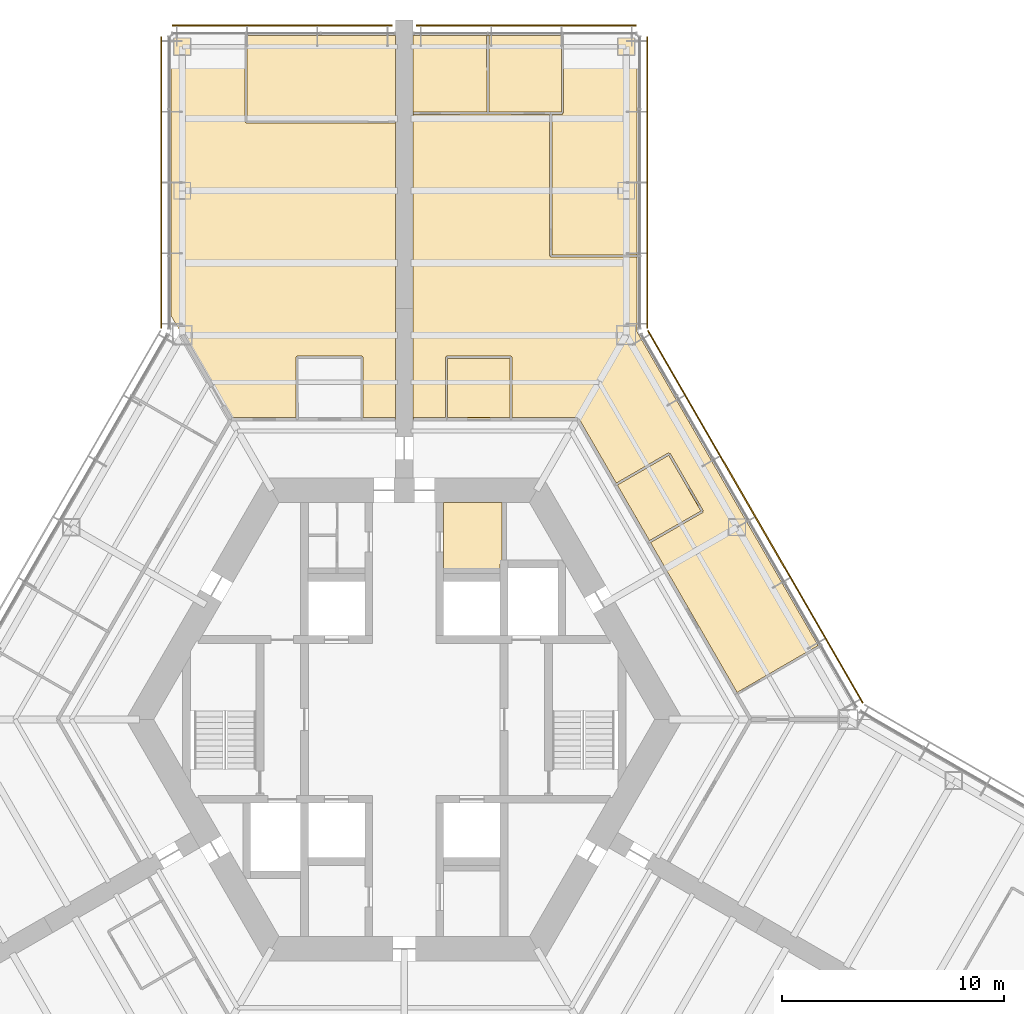
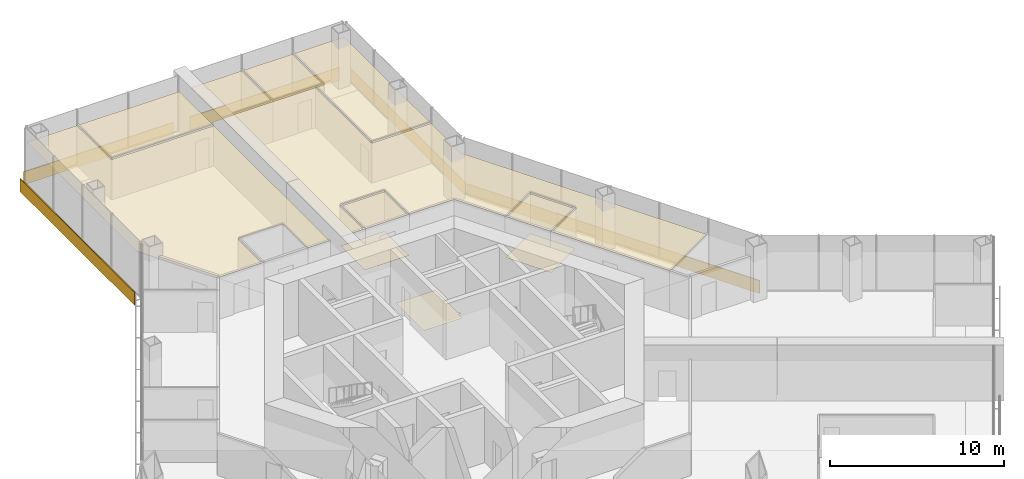
# One storey, part 18 of 18: 11 coverings, 5 shading devices.
"""IFC4 building model written with IfcOpenShell, lengths in metres."""

from ifc_helpers import new_model, si_unit, direction, frame, origin, origin_2d, place, context, subcontext, project, spatial, polyline, rectangle, outline, extrude, material, layer, layer_set, type_object, element, save


model = new_model("IFC4")

# Units and contexts
model_context = context("Model", 3, precision=1e-05, world=origin(), true_north=direction((0.0, 1.0)))
body_context = subcontext(model_context, "Body", "Model", "MODEL_VIEW")
ifc_project = project(units=[si_unit("LENGTHUNIT", "METRE"), si_unit("AREAUNIT", "SQUARE_METRE"), si_unit("VOLUMEUNIT", "CUBIC_METRE"), si_unit("PLANEANGLEUNIT", "RADIAN"), si_unit("MASSUNIT", "GRAM", prefix="KILO")], contexts=[model_context])

# Site, building, storey
site_placement = place(None, origin())
site = spatial("IfcSite", under=ifc_project, at=site_placement, CompositionType="ELEMENT")
building_placement = place(site_placement, origin())
building = spatial("IfcBuilding", under=site, at=building_placement, Name="Kasaneha Research Tower", CompositionType="ELEMENT")
storey_placement = place(building_placement, frame((0.0, 0.0, 72.89990234375)))
storey = spatial("IfcBuildingStorey", under=building, at=storey_placement, Name="L18", CompositionType="ELEMENT", Elevation=72.89990234375)

# Coverings
ifc_material_1 = material(Name="Gypsum ceiling board", Category="gypsum")
ifc_layer_1 = layer(ifc_material_1, 0.02001953125)
ifc_layer_set_1 = layer_set([ifc_layer_1], Name="Suspended ceiling 20")
covering_type_1 = type_object("IfcCoveringType", Name="Suspended ceiling 20", PredefinedType="CEILING", material=ifc_layer_set_1)
covering_1_placement = place(storey_placement, frame((0.0, 0.0, 2.800048828125)))
element("IfcCovering", 1, at=covering_1_placement, inside=storey, type_object=covering_type_1, Name="Ceiling L18-25", PredefinedType="CEILING", context=body_context, shape_type="SweptSolid", body=[
    extrude(outline(polyline([(1.954345703125, 13.60009765625), (1.9501953125, 16.27490234375), (4.766845703125, 16.27490234375), (4.7626953125, 13.60009765625), (1.954345703125, 13.60009765625)])), origin(), (0.0, 0.0, 1.0), 0.02001953125),
])
covering_2_placement = place(storey_placement, frame((0.0, 0.0, 2.800048828125)))
element("IfcCovering", 2, at=covering_2_placement, inside=storey, type_object=covering_type_1, Name="Ceiling L18-26", PredefinedType="CEILING", context=body_context, shape_type="SweptSolid", body=[
    extrude(outline(polyline([(13.36962890625, 9.393310546875), (11.05078125, 8.0595703125), (9.605224609375, 10.5634765625), (11.919677734375, 11.904541015625), (13.36962890625, 9.393310546875)])), origin(), (0.0, 0.0, 1.0), 0.02001953125),
])
covering_3_placement = place(storey_placement, frame((0.0, 0.0, 2.800048828125)))
element("IfcCovering", 3, at=covering_3_placement, inside=storey, type_object=covering_type_1, Name="Ceiling L18-27", PredefinedType="CEILING", context=body_context, shape_type="SweptSolid", body=[
    extrude(outline(polyline([(7.13330078125, 30.820556640625), (7.13330078125, 30.800537109375), (7.083251953125, 30.800537109375), (7.083251953125, 27.37060546875), (6.6044921875, 27.37060546875), (3.821533203125, 27.375), (3.816650390625, 30.800537109375), (3.7666015625, 30.800537109375), (3.7666015625, 30.820556640625), (7.13330078125, 30.820556640625)])), origin(), (0.0, 0.0, 1.0), 0.02001953125),
])
covering_4_placement = place(storey_placement, frame((0.0, 0.0, 2.800048828125)))
element("IfcCovering", 4, at=covering_4_placement, inside=storey, type_object=covering_type_1, Name="Ceiling L18-28", PredefinedType="CEILING", context=body_context, shape_type="SweptSolid", body=[
    extrude(outline(polyline([(3.7666015625, 30.820556640625), (3.7666015625, 30.800537109375), (3.716796875, 30.800537109375), (3.7216796875, 27.375), (0.419921875, 27.37060546875), (0.419921875, 27.320556640625), (0.39990234375, 27.320556640625), (0.39990234375, 30.820556640625), (3.7666015625, 30.820556640625)])), origin(), (0.0, 0.0, 1.0), 0.02001953125),
])
covering_5_placement = place(storey_placement, frame((0.0, 0.0, 2.800048828125)))
element("IfcCovering", 5, at=covering_5_placement, inside=storey, type_object=covering_type_1, Name="Ceiling L18-29", PredefinedType="CEILING", context=body_context, shape_type="SweptSolid", body=[
    extrude(outline(polyline([(10.500244140625, 30.82080078125), (10.5, 20.89111328125), (10.5, 20.941162109375), (6.650146484375, 20.941162109375), (6.654541015625, 27.2705078125), (7.13330078125, 27.2705078125), (7.13330078125, 27.320556640625), (7.183349609375, 27.320556640625), (7.183349609375, 30.800537109375), (7.133544921875, 30.800537109375), (7.133544921875, 30.82080078125), (10.500244140625, 30.82080078125)])), origin(), (0.0, 0.0, 1.0), 0.02001953125),
])
covering_6_placement = place(storey_placement, frame((0.0, 0.0, 2.800048828125)))
element("IfcCovering", 6, at=covering_6_placement, inside=storey, type_object=covering_type_1, Name="Ceiling L18-31", PredefinedType="CEILING", context=body_context, shape_type="SweptSolid", body=[
    extrude(outline(polyline([(13.438232421875, 9.374755859375), (13.438232421875, 9.375), (13.481201171875, 9.39990234375), (11.981201171875, 11.998046875), (11.938232421875, 11.97314453125), (11.938232421875, 11.973388671875), (11.937744140625, 11.97314453125), (11.912841796875, 12.016357421875), (9.55517578125, 10.64990234375), (7.87353515625, 13.5625), (7.80908203125, 13.525146484375), (7.808837890625, 13.525390625), (7.80859375, 13.525390625), (7.80859375, 13.60009765625), (4.862548828125, 13.60009765625), (4.866943359375, 16.324951171875), (4.817138671875, 16.324951171875), (4.817138671875, 16.325439453125), (4.81689453125, 16.325439453125), (4.81689453125, 16.375), (1.89990234375, 16.375), (1.89990234375, 16.325439453125), (1.899658203125, 16.325439453125), (1.899658203125, 16.324951171875), (1.85009765625, 16.324951171875), (1.8544921875, 13.60009765625), (0.419921875, 13.60009765625), (0.419921875, 13.525390625), (0.39990234375, 13.525390625), (0.39990234375, 27.320068359375), (0.419921875, 27.320068359375), (0.420166015625, 27.2705078125), (3.7666015625, 27.27490234375), (6.554443359375, 27.2705078125), (6.550048828125, 20.89111328125), (6.599609375, 20.89111328125), (6.599609375, 20.890869140625), (6.60009765625, 20.890869140625), (6.60009765625, 20.841064453125), (10.5, 20.841064453125), (10.5, 17.45458984375), (18.67919921875, 3.287841796875), (18.661865234375, 3.27783203125), (18.636962890625, 3.320556640625), (15.00146484375, 1.216552734375), (11.100830078125, 7.972900390625), (13.462890625, 9.33154296875), (13.43798828125, 9.374755859375), (13.438232421875, 9.374755859375)])), origin(), (0.0, 0.0, 1.0), 0.02001953125),
])
covering_7_placement = place(storey_placement, frame((0.0, 0.0, 2.800048828125)))
element("IfcCovering", 7, at=covering_7_placement, inside=storey, type_object=covering_type_1, Name="Ceiling L18-34", PredefinedType="CEILING", context=body_context, shape_type="SweptSolid", body=[
    extrude(outline(polyline([(-0.39990234375, 26.92041015625), (-0.419921875, 26.92041015625), (-0.419921875, 26.970458984375), (-7.083251953125, 26.970458984375), (-7.083251953125, 30.800537109375), (-7.13330078125, 30.800537109375), (-7.13330078125, 30.820556640625), (-0.39990234375, 30.820556640625), (-0.39990234375, 26.92041015625)])), origin(), (0.0, 0.0, 1.0), 0.02001953125),
])
covering_8_placement = place(storey_placement, frame((0.0, 0.0, 2.800048828125)))
element("IfcCovering", 8, at=covering_8_placement, inside=storey, type_object=covering_type_1, Name="Ceiling L18-35", PredefinedType="CEILING", context=body_context, shape_type="SweptSolid", body=[
    extrude(outline(polyline([(-1.899658203125, 16.325439453125), (-1.89990234375, 16.325439453125), (-1.89990234375, 16.375), (-4.8291015625, 16.375), (-4.8291015625, 16.325439453125), (-4.8291015625, 16.324951171875), (-4.87890625, 16.324951171875), (-4.87451171875, 13.60009765625), (-7.78564453125, 13.60009765625), (-7.78564453125, 13.525390625), (-7.808837890625, 13.525390625), (-10.5, 18.1865234375), (-10.5, 30.820556640625), (-7.1337890625, 30.820556640625), (-7.1337890625, 30.800537109375), (-7.183349609375, 30.800537109375), (-7.183349609375, 26.92041015625), (-7.133544921875, 26.92041015625), (-7.133544921875, 26.920166015625), (-7.13330078125, 26.920166015625), (-7.13330078125, 26.87060546875), (-0.419921875, 26.87060546875), (-0.419921875, 26.919921875), (-0.39990234375, 26.919921875), (-0.39990234375, 13.525390625), (-0.419921875, 13.525390625), (-0.419921875, 13.60009765625), (-1.8544921875, 13.60009765625), (-1.85009765625, 16.324951171875), (-1.899658203125, 16.324951171875), (-1.899658203125, 16.325439453125)])), origin(), (0.0, 0.0, 1.0), 0.02001953125),
])

# Shading devices
ifc_material_2 = material(Name="Terracotta", Category="masonry")
ifc_layer_2 = layer(ifc_material_2, 0.06005859375)
ifc_layer_set_2 = layer_set([ifc_layer_2], Name="Terracotta baguette screen")
shading_device_type = type_object("IfcShadingDeviceType", Name="Terracotta baguette screen", PredefinedType="USERDEFINED", material=ifc_layer_set_2)
shading_device_1_placement = place(storey_placement, frame((15.82275390625, 9.13525390625, -0.449951171875), z_axis=(0.0, 0.0, 1.0), x_axis=(-0.49999996188, 0.866025425793, 0.0)))
element("IfcShadingDevice", 9, at=shading_device_1_placement, inside=storey, type_object=shading_device_type, Name="Baguette screen L18 07", ObjectType="TERRACOTTA BAGUETTE SCREEN", PredefinedType="USERDEFINED", context=body_context, shape_type="SweptSolid", body=[
    extrude(rectangle(XDim=19.37841796875, YDim=0.06005859375, at=origin_2d()), origin(), (0.0, 0.0, 1.0), 0.89990234375),
])
shading_device_2_placement = place(storey_placement, frame((10.949951171875, 24.200927734375, -0.449951171875), z_axis=(0.0, 0.0, 1.0), x_axis=(0.0, 1.0, 0.0)))
element("IfcShadingDevice", 10, at=shading_device_2_placement, inside=storey, type_object=shading_device_type, Name="Baguette screen L18 08", ObjectType="TERRACOTTA BAGUETTE SCREEN", PredefinedType="USERDEFINED", context=body_context, shape_type="SweptSolid", body=[
    extrude(rectangle(XDim=13.13916015625, YDim=0.06005859375, at=origin_2d()), origin(), (0.0, 0.0, 1.0), 0.89990234375),
])
for number, where, z_axis, x_axis, name in (
    (11, (5.5, 31.2705078125, -0.449951171875), (0.0, 0.0, 1.0), (-1.0, 0.0, 0.0), "Baguette screen L18 09"),
    (12, (-5.5, 31.2705078125, -0.449951171875), (0.0, 0.0, 1.0), (-1.0, 0.0, 0.0), "Baguette screen L18 10"),
):
    element("IfcShadingDevice", number, at=place(storey_placement, frame(where, z_axis=z_axis, x_axis=x_axis)), inside=storey, type_object=shading_device_type, Name=name, ObjectType="TERRACOTTA BAGUETTE SCREEN", PredefinedType="USERDEFINED", context=body_context, shape_type="SweptSolid", body=[
        extrude(rectangle(XDim=9.89990234375, YDim=0.06005859375, at=origin_2d()), origin(), (0.0, 0.0, 1.0), 0.89990234375),
    ])
shading_device_3_placement = place(storey_placement, frame((-10.949951171875, 24.200927734375, -0.449951171875), z_axis=(0.0, 0.0, 1.0), x_axis=(0.0, -1.0, 0.0)))
element("IfcShadingDevice", 13, at=shading_device_3_placement, inside=storey, type_object=shading_device_type, Name="Baguette screen L18 11", ObjectType="TERRACOTTA BAGUETTE SCREEN", PredefinedType="USERDEFINED", context=body_context, shape_type="SweptSolid", body=[
    extrude(rectangle(XDim=13.13916015625, YDim=0.06005859375, at=origin_2d()), origin(), (0.0, 0.0, 1.0), 0.89990234375),
])

# Coverings
ifc_material_3 = material(Name="Vinyl sheet flooring", Category="plastic")
ifc_layer_3 = layer(ifc_material_3, 0.0048828125)
ifc_layer_set_3 = layer_set([ifc_layer_3], Name="Wet room sheet flooring 5")
covering_type_2 = type_object("IfcCoveringType", Name="Wet room sheet flooring 5", PredefinedType="FLOORING", material=ifc_layer_set_3)
covering_9_placement = place(storey_placement, origin())
element("IfcCovering", 14, at=covering_9_placement, inside=storey, type_object=covering_type_2, Name="Floor finish L18-09", PredefinedType="FLOORING", context=body_context, shape_type="SweptSolid", body=[
    extrude(outline(polyline([(4.39892578125, 9.77490234375), (4.39892578125, 7.175048828125), (4.39892578125, 7.1748046875), (4.39892578125, 7.1748046875), (4.39892578125, 7.1748046875), (4.399169921875, 7.174560546875), (4.399169921875, 7.174560546875), (4.399169921875, 7.174560546875), (4.399169921875, 7.17431640625), (4.399169921875, 7.17431640625), (4.3994140625, 7.17431640625), (4.3994140625, 7.174072265625), (4.3994140625, 7.174072265625), (4.399658203125, 7.174072265625), (4.399658203125, 7.174072265625), (4.39990234375, 7.174072265625), (4.39990234375, 7.174072265625), (4.39990234375, 7.174072265625), (4.5, 7.174072265625), (4.5, 7.0), (4.324951171875, 7.0), (4.324951171875, 6.574951171875), (1.77490234375, 6.574951171875), (1.77490234375, 9.77490234375), (4.39892578125, 9.77490234375)])), origin(), (0.0, 0.0, 1.0), 0.005126953125),
])
covering_10_placement = place(storey_placement, origin())
element("IfcCovering", 15, at=covering_10_placement, inside=storey, type_object=covering_type_2, Name="Floor finish L18-25", PredefinedType="FLOORING", context=body_context, shape_type="SweptSolid", body=[
    extrude(outline(polyline([(1.89990234375, 16.324951171875), (4.81689453125, 16.324951171875), (4.81689453125, 13.52490234375), (1.89990234375, 13.52490234375), (1.89990234375, 16.324951171875)])), origin(), (0.0, 0.0, 1.0), 0.005126953125),
])
covering_11_placement = place(storey_placement, origin())
element("IfcCovering", 16, at=covering_11_placement, inside=storey, type_object=covering_type_2, Name="Floor finish L18-26", PredefinedType="FLOORING", context=body_context, shape_type="SweptSolid", body=[
    extrude(outline(polyline([(11.93798828125, 11.972900390625), (13.43798828125, 9.375), (11.012939453125, 7.974853515625), (9.512939453125, 10.572998046875), (11.93798828125, 11.972900390625)])), origin(), (0.0, 0.0, 1.0), 0.005126953125),
])

save(model, "model.ifc")
